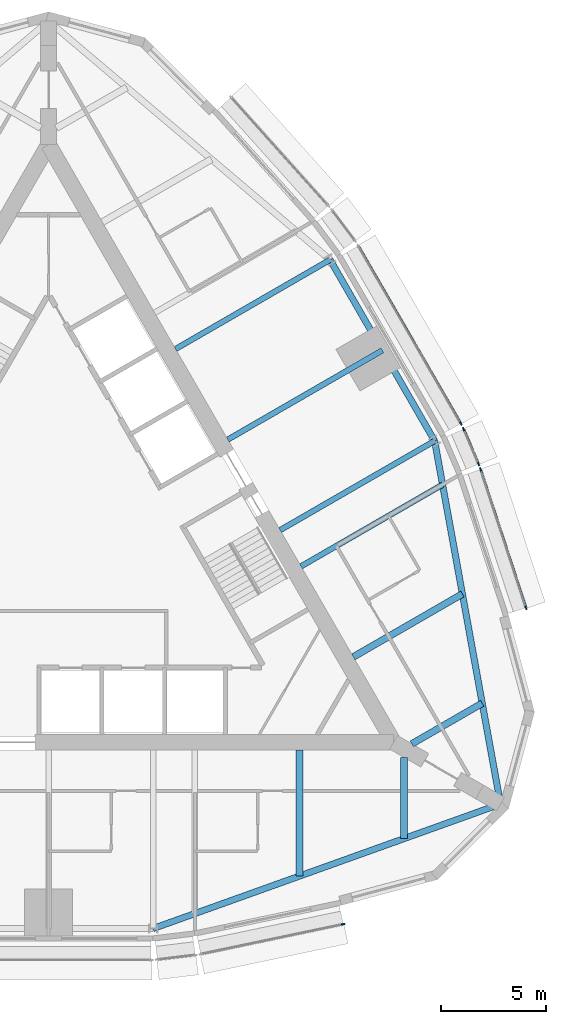
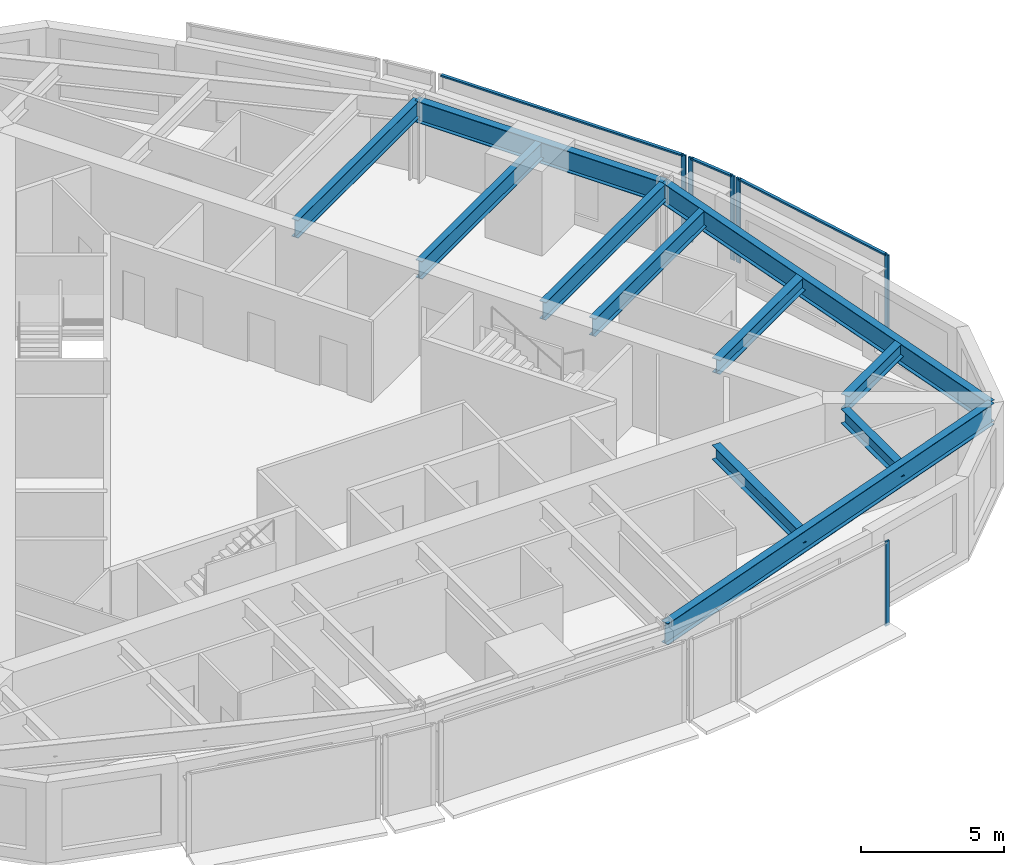
# One storey, part 4 of 12: 11 beams, 9 members, 4 elements without a shape of their own.
"""IFC4 building model written with IfcOpenShell, lengths in metres."""

from ifc_helpers import new_model, si_unit, direction, frame, origin, origin_2d, place, context, subcontext, project, spatial, rectangle, i_section, extrude, material, material_profile, profile_set, type_object, element, aggregate, save


model = new_model("IFC4")

# Units and contexts
model_context = context("Model", 3, precision=1e-05, world=origin(), true_north=direction((0.0, 1.0)))
body_context = subcontext(model_context, "Body", "Model", "MODEL_VIEW")
ifc_project = project(units=[si_unit("LENGTHUNIT", "METRE"), si_unit("AREAUNIT", "SQUARE_METRE"), si_unit("VOLUMEUNIT", "CUBIC_METRE"), si_unit("PLANEANGLEUNIT", "RADIAN"), si_unit("MASSUNIT", "GRAM", prefix="KILO")], contexts=[model_context])

# Site, building, storey
site_placement = place(None, origin())
site = spatial("IfcSite", under=ifc_project, at=site_placement, CompositionType="ELEMENT")
building_placement = place(site_placement, origin())
building = spatial("IfcBuilding", under=site, at=building_placement, Name="Trikona Tower", CompositionType="ELEMENT")
storey_placement = place(building_placement, frame((0.0, 0.0, 242.89990234375)))
storey = spatial("IfcBuildingStorey", under=building, at=storey_placement, Name="L64", CompositionType="ELEMENT", Elevation=242.89990234375)

# Curtain wall, member
ifc_material_1 = material(Name="Aluminium curtain wall system", Category="aluminium")
curtain_wall_type = type_object("IfcCurtainWallType", Name="Curtain wall DS3", PredefinedType="NOTDEFINED", material=ifc_material_1)
curtain_wall_1_placement = place(storey_placement, origin())
curtain_wall_1 = element("IfcCurtainWall", 1, at=curtain_wall_1_placement, inside=storey, type_object=curtain_wall_type, Name="Curtain wall DS3 L64", PredefinedType="NOTDEFINED")
ifc_material_2 = material(Name="Aluminium mullion, pale anodised", Category="aluminium")
ifc_material_profile_1 = material_profile(ifc_material_2, rectangle(XDim=0.070068359375, YDim=0.179931640625, at=origin_2d()), Name="MUL-DS3")
ifc_profile_set_1 = profile_set([ifc_material_profile_1], Name="Aluminium mullion, pale anodised")
member_type_1 = type_object("IfcMemberType", Name="Mullion DS3 70x180", PredefinedType="MULLION", material=ifc_profile_set_1)
member_1_placement = place(storey_placement, frame((14.092041015625, -18.220703125, 0.0), z_axis=(0.0, 0.0, 1.0), x_axis=(-0.205527448396, 0.978651351583, 0.0)))
member_1 = element("IfcMember", 2, at=member_1_placement, type_object=member_type_1, Name="CW-DS3 mullion 2", PredefinedType="MULLION", context=body_context, shape_type="SweptSolid", body=[
    extrude(rectangle(XDim=0.070068359375, YDim=0.179931640625, at=origin_2d()), origin(), (0.0, 0.0, 1.0), 3.60009765625),
])
aggregate(curtain_wall_1, [member_1])

# Curtain wall, members
curtain_wall_2_placement = place(storey_placement, origin())
curtain_wall_2 = element("IfcCurtainWall", 3, at=curtain_wall_2_placement, inside=storey, type_object=curtain_wall_type, Name="Curtain wall DS3 L64", PredefinedType="NOTDEFINED")
member_2_placement = place(storey_placement, frame((22.82568359375, -3.09375, 0.0), z_axis=(0.0, 0.0, 1.0), x_axis=(-0.95029742275, -0.311343553515, 0.0)))
member_2 = element("IfcMember", 4, at=member_2_placement, type_object=member_type_1, Name="CW-DS3 mullion 1", PredefinedType="MULLION", context=body_context, shape_type="SweptSolid", body=[
    extrude(rectangle(XDim=0.070068359375, YDim=0.179931640625, at=origin_2d()), origin(), (0.0, 0.0, 1.0), 3.60009765625),
])
member_3_placement = place(storey_placement, frame((20.657958984375, 3.52294921875, 0.0), z_axis=(0.0, 0.0, 1.0), x_axis=(-0.95029742275, -0.311343553515, 0.0)))
member_3 = element("IfcMember", 5, at=member_3_placement, type_object=member_type_1, Name="CW-DS3 mullion 2", PredefinedType="MULLION", context=body_context, shape_type="SweptSolid", body=[
    extrude(rectangle(XDim=0.070068359375, YDim=0.179931640625, at=origin_2d()), origin(), (0.0, 0.0, 1.0), 3.60009765625),
])

curtain_wall_3_placement = place(storey_placement, origin())
curtain_wall_3 = element("IfcCurtainWall", 6, at=curtain_wall_3_placement, inside=storey, type_object=curtain_wall_type, Name="Curtain wall DS3 L64", PredefinedType="NOTDEFINED")
member_4_placement = place(storey_placement, frame((20.563232421875, 3.7744140625, 0.0), z_axis=(0.0, 0.0, 1.0), x_axis=(-0.919420580163, -0.393275726143, 0.0)))
member_4 = element("IfcMember", 7, at=member_4_placement, type_object=member_type_1, Name="CW-DS3 mullion 1", PredefinedType="MULLION", context=body_context, shape_type="SweptSolid", body=[
    extrude(rectangle(XDim=0.070068359375, YDim=0.179931640625, at=origin_2d()), origin(), (0.0, 0.0, 1.0), 3.60009765625),
])
member_5_placement = place(storey_placement, frame((19.845703125, 5.45166015625, 0.0), z_axis=(0.0, 0.0, 1.0), x_axis=(-0.919420580163, -0.393275726143, 0.0)))
member_5 = element("IfcMember", 8, at=member_5_placement, type_object=member_type_1, Name="CW-DS3 mullion 2", PredefinedType="MULLION", context=body_context, shape_type="SweptSolid", body=[
    extrude(rectangle(XDim=0.070068359375, YDim=0.179931640625, at=origin_2d()), origin(), (0.0, 0.0, 1.0), 3.60009765625),
])

# Curtain wall, member
curtain_wall_4_placement = place(storey_placement, origin())
curtain_wall_4 = element("IfcCurtainWall", 9, at=curtain_wall_4_placement, inside=storey, type_object=curtain_wall_type, Name="Curtain wall DS3 L64", PredefinedType="NOTDEFINED")
member_6_placement = place(storey_placement, frame((19.712890625, 5.717529296875, 0.0), z_axis=(0.0, 0.0, 1.0), x_axis=(-0.866024619633, -0.500001358187, 0.0)))
member_6 = element("IfcMember", 10, at=member_6_placement, type_object=member_type_1, Name="CW-DS3 mullion 1", PredefinedType="MULLION", context=body_context, shape_type="SweptSolid", body=[
    extrude(rectangle(XDim=0.070068359375, YDim=0.179931640625, at=origin_2d()), origin(), (0.0, 0.0, 1.0), 3.60009765625),
])

# Beams
ifc_material_3 = material(Name="Steel ASTM A992 Grade 50", Category="steel")
ifc_material_profile_2 = material_profile(ifc_material_3, i_section(OverallWidth=0.3251953125, OverallDepth=0.612060546875, WebThickness=0.0126953125, FlangeThickness=0.01904296875, at=origin_2d()), Name="W24X104")
ifc_profile_set_2 = profile_set([ifc_material_profile_2], Name="Steel ASTM A992 Grade 50")
beam_type_1 = type_object("IfcBeamType", Name="Steel beam W24x104 (wedge upper)", PredefinedType="BEAM", material=ifc_profile_set_2)
beam_1_placement = place(storey_placement, frame((12.0, -9.9013671875, 3.12890625), z_axis=(0.0, -1.0, 0.0), x_axis=(1.0, 0.0, 0.0)))
element("IfcBeam", 11, at=beam_1_placement, inside=storey, type_object=beam_type_1, Name="Floor beam L65 F1 u12", PredefinedType="BEAM", context=body_context, shape_type="SweptSolid", body=[
    extrude(i_section(OverallWidth=0.3251953125, OverallDepth=0.612060546875, WebThickness=0.0126953125, FlangeThickness=0.01904296875, at=origin_2d()), origin(), (0.0, 0.0, 1.0), 6.02001953125),
])
beam_2_placement = place(storey_placement, frame((17.0, -10.248046875, 3.12890625), z_axis=(0.0, -1.0, 0.0), x_axis=(1.0, 0.0, 0.0)))
element("IfcBeam", 12, at=beam_2_placement, inside=storey, type_object=beam_type_1, Name="Floor beam L65 F1 u17", PredefinedType="BEAM", context=body_context, shape_type="SweptSolid", body=[
    extrude(i_section(OverallWidth=0.3251953125, OverallDepth=0.612060546875, WebThickness=0.0126953125, FlangeThickness=0.01904296875, at=origin_2d()), origin(), (0.0, 0.0, 1.0), 3.881103515625),
])
beam_3_placement = place(storey_placement, frame((17.375, -9.598388671875, 3.12890625), z_axis=(0.866024273614, 0.500001957507, 0.0), x_axis=(-0.500001957507, 0.866024273614, 0.0)))
element("IfcBeam", 13, at=beam_3_placement, inside=storey, type_object=beam_type_1, Name="Floor beam L65 F2 u-17", PredefinedType="BEAM", context=body_context, shape_type="SweptSolid", body=[
    extrude(i_section(OverallWidth=0.3251953125, OverallDepth=0.612060546875, WebThickness=0.0126953125, FlangeThickness=0.01904296875, at=origin_2d()), origin(), (0.0, 0.0, 1.0), 3.88134765625),
])
beam_4_placement = place(storey_placement, frame((14.57470703125, -5.441650390625, 3.12890625), z_axis=(0.866030935233, 0.499990419128, 0.0), x_axis=(-0.499990419128, 0.866030935233, 0.0)))
element("IfcBeam", 14, at=beam_4_placement, inside=storey, type_object=beam_type_1, Name="Floor beam L65 F2 u-12", PredefinedType="BEAM", context=body_context, shape_type="SweptSolid", body=[
    extrude(i_section(OverallWidth=0.3251953125, OverallDepth=0.612060546875, WebThickness=0.0126953125, FlangeThickness=0.01904296875, at=origin_2d()), origin(), (0.0, 0.0, 1.0), 6.02001953125),
])
ifc_material_4 = material(Name="Steel ASTM A992 Grade 50", Category="steel")
ifc_material_profile_3 = material_profile(ifc_material_4, i_section(OverallWidth=0.2666015625, OverallDepth=0.7568359375, WebThickness=0.013916015625, FlangeThickness=0.019287109375, at=origin_2d()), Name="W30X108")
ifc_profile_set_3 = profile_set([ifc_material_profile_3], Name="Steel ASTM A992 Grade 50")
beam_type_2 = type_object("IfcBeamType", Name="Steel beam W30x108 (radial upper)", PredefinedType="BEAM", material=ifc_profile_set_3)
beam_5_placement = place(storey_placement, frame((12.07470703125, -1.111572265625, 3.056640625), z_axis=(0.866026865327, 0.499997468525, 0.0), x_axis=(-0.499997468525, 0.866026865327, 0.0)))
element("IfcBeam", 15, at=beam_5_placement, inside=storey, type_object=beam_type_2, Name="Floor beam L65 F2 u-7", PredefinedType="BEAM", context=body_context, shape_type="SweptSolid", body=[
    extrude(i_section(OverallWidth=0.2666015625, OverallDepth=0.7568359375, WebThickness=0.013916015625, FlangeThickness=0.019287109375, at=origin_2d()), origin(), (0.0, 0.0, 1.0), 7.8125),
])
beam_6_placement = place(storey_placement, frame((11.07470703125, 0.62060546875, 3.056640625), z_axis=(0.866034481505, 0.499984276597, 0.0), x_axis=(-0.499984276597, 0.866034481505, 0.0)))
element("IfcBeam", 16, at=beam_6_placement, inside=storey, type_object=beam_type_2, Name="Floor beam L65 F2 u-5", PredefinedType="BEAM", context=body_context, shape_type="SweptSolid", body=[
    extrude(i_section(OverallWidth=0.2666015625, OverallDepth=0.7568359375, WebThickness=0.013916015625, FlangeThickness=0.019287109375, at=origin_2d()), origin(), (0.0, 0.0, 1.0), 8.529052734375),
])
for number, where, z_axis, x_axis, name in (
    (17, (8.57470703125, 4.95068359375, 3.056640625), (0.866022086901, 0.500005744967, 0.0), (-0.500005744967, 0.866022086901, 0.0), "Floor beam L65 F2 u0"),
    (18, (6.07470703125, 9.28076171875, 3.056640625), (0.866022086901, 0.500005744967, 0.0), (-0.500005744967, 0.866022086901, 0.0), "Floor beam L65 F2 u5"),
):
    element("IfcBeam", number, at=place(storey_placement, frame(where, z_axis=z_axis, x_axis=x_axis)), inside=storey, type_object=beam_type_2, Name=name, PredefinedType="BEAM", context=body_context, shape_type="SweptSolid", body=[
        extrude(i_section(OverallWidth=0.2666015625, OverallDepth=0.7568359375, WebThickness=0.013916015625, FlangeThickness=0.019287109375, at=origin_2d()), origin(), (0.0, 0.0, 1.0), 8.529296875),
    ])
ifc_material_5 = material(Name="Steel ASTM A992 Grade 50", Category="steel")
ifc_material_profile_4 = material_profile(ifc_material_5, i_section(OverallWidth=0.3046875, OverallDepth=0.911865234375, WebThickness=0.015869140625, FlangeThickness=0.02392578125, at=origin_2d()), Name="W36X150")
ifc_profile_set_4 = profile_set([ifc_material_profile_4], Name="Steel ASTM A992 Grade 50")
beam_type_3 = type_object("IfcBeamType", Name="Steel beam W36x150 (spandrel upper)", PredefinedType="SPANDREL", material=ifc_profile_set_4)
for number, where, z_axis, x_axis, name in (
    (19, (5.0, -18.430419921875, 2.979248046875), (0.941358144832, 0.337409014637, 0.0), (-0.337409014637, 0.941358144832, 0.0), "Spandrel beam L65 F1-3"),
    (20, (21.6103515625, -12.476806640625, 2.979248046875), (-0.178472662054, 0.983944870864, 0.0), (-0.983944870864, -0.178472662054, 0.0), "Spandrel beam L65 F2-1"),
):
    element("IfcBeam", number, at=place(storey_placement, frame(where, z_axis=z_axis, x_axis=x_axis)), inside=storey, type_object=beam_type_3, Name=name, PredefinedType="SPANDREL", context=body_context, shape_type="SweptSolid", body=[
        extrude(i_section(OverallWidth=0.3046875, OverallDepth=0.911865234375, WebThickness=0.015869140625, FlangeThickness=0.02392578125, at=origin_2d()), origin(), (0.0, 0.0, 1.0), 17.64501953125),
    ])
beam_7_placement = place(storey_placement, frame((18.461181640625, 4.885009765625, 2.979248046875), z_axis=(-0.499993662806, 0.866029062534, 0.0), x_axis=(-0.866029062534, -0.499993662806, 0.0)))
element("IfcBeam", 21, at=beam_7_placement, inside=storey, type_object=beam_type_3, Name="Spandrel beam L65 F2-2", PredefinedType="SPANDREL", context=body_context, shape_type="SweptSolid", body=[
    extrude(i_section(OverallWidth=0.3046875, OverallDepth=0.911865234375, WebThickness=0.015869140625, FlangeThickness=0.02392578125, at=origin_2d()), origin(), (0.0, 0.0, 1.0), 10.000244140625),
])

# Member
ifc_material_6 = material(Name="Aluminium transom, pale anodised", Category="aluminium")
ifc_material_profile_5 = material_profile(ifc_material_6, rectangle(XDim=0.1201171875, YDim=0.070068359375, at=origin_2d()), Name="TRN-DS3")
ifc_profile_set_5 = profile_set([ifc_material_profile_5], Name="Aluminium transom, pale anodised")
member_type_2 = type_object("IfcMemberType", Name="Transom DS3 70x120", PredefinedType="USERDEFINED", material=ifc_profile_set_5)
member_7_placement = place(storey_placement, frame((22.814697265625, -3.060302734375, 3.565185546875), z_axis=(-0.311346184, 0.950296560926, 0.0), x_axis=(-0.950296560926, -0.311346184, 0.0)))
member_7 = element("IfcMember", 22, at=member_7_placement, type_object=member_type_2, Name="CW-DS3 transom 1.1", ObjectType="TRANSOM", PredefinedType="USERDEFINED", context=body_context, shape_type="SweptSolid", body=[
    extrude(rectangle(XDim=0.1201171875, YDim=0.070068359375, at=origin_2d()), origin(), (0.0, 0.0, 1.0), 6.892578125),
])

aggregate(curtain_wall_2, [member_2, member_3, member_7])

member_8_placement = place(storey_placement, frame((20.549560546875, 3.806640625, 3.565185546875), z_axis=(-0.393314512783, 0.919403988481, 0.0), x_axis=(-0.919403988481, -0.393314512783, 0.0)))
member_8 = element("IfcMember", 23, at=member_8_placement, type_object=member_type_2, Name="CW-DS3 transom 1.1", ObjectType="TRANSOM", PredefinedType="USERDEFINED", context=body_context, shape_type="SweptSolid", body=[
    extrude(rectangle(XDim=0.1201171875, YDim=0.070068359375, at=origin_2d()), origin(), (0.0, 0.0, 1.0), 1.754150390625),
])

aggregate(curtain_wall_3, [member_4, member_5, member_8])

member_9_placement = place(storey_placement, frame((19.6953125, 5.747802734375, 3.565185546875), z_axis=(-0.500010305712, 0.866019453697, 0.0), x_axis=(-0.866019453697, -0.500010305712, 0.0)))
member_9 = element("IfcMember", 24, at=member_9_placement, type_object=member_type_2, Name="CW-DS3 transom 1.1", ObjectType="TRANSOM", PredefinedType="USERDEFINED", context=body_context, shape_type="SweptSolid", body=[
    extrude(rectangle(XDim=0.1201171875, YDim=0.070068359375, at=origin_2d()), origin(), (0.0, 0.0, 1.0), 9.739990234375),
])

aggregate(curtain_wall_4, [member_6, member_9])

save(model, "model.ifc")
